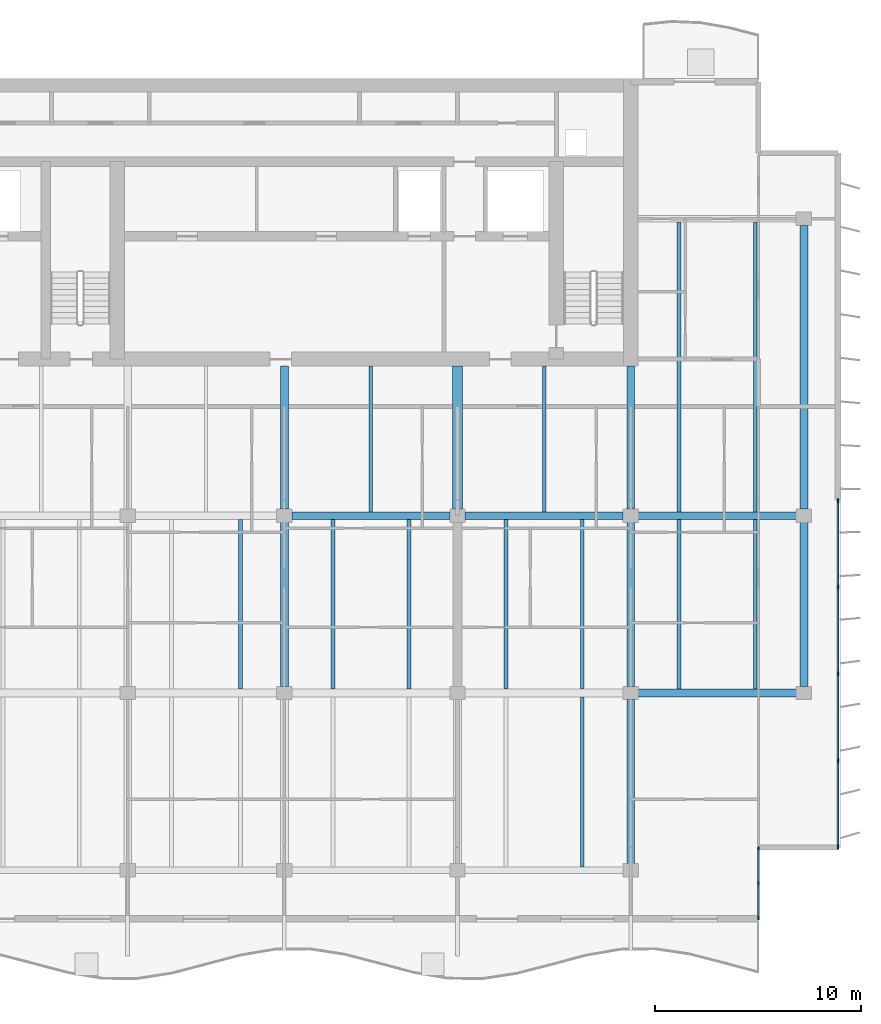
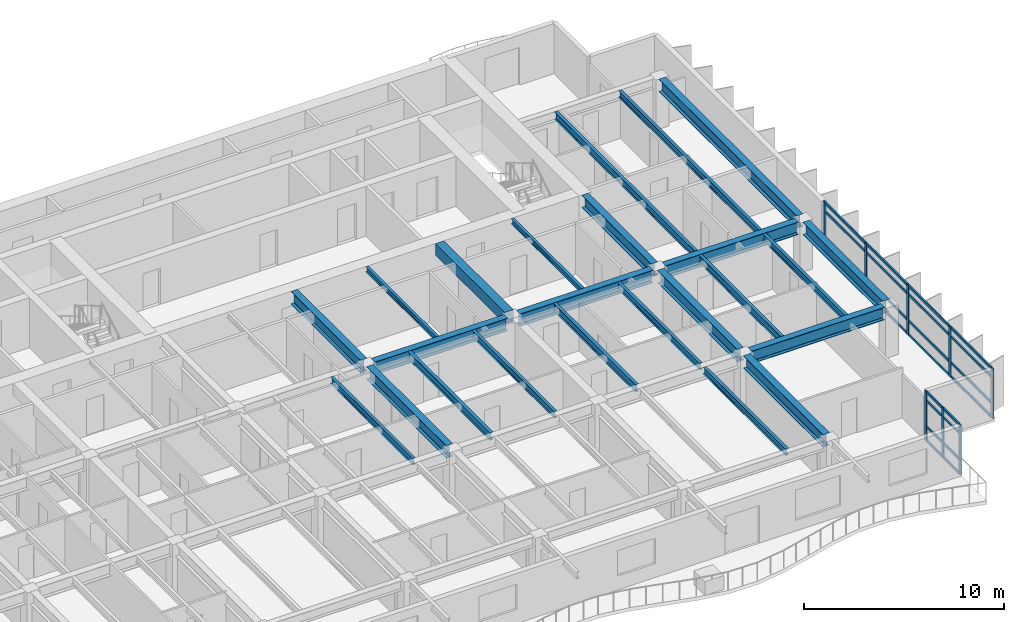
# One storey, part 4 of 16: 32 members, 24 beams, 2 elements without a shape of their own.
"""IFC4 building model written with IfcOpenShell, lengths in metres."""

from ifc_helpers import new_model, si_unit, direction, frame, origin, origin_2d, place, context, subcontext, project, spatial, rectangle, i_section, extrude, material, layer, layer_set, material_profile, profile_set, type_object, element, aggregate, save


model = new_model("IFC4")

# Units and contexts
model_context = context("Model", 3, precision=1e-05, world=origin(), true_north=direction((0.0, 1.0)))
body_context = subcontext(model_context, "Body", "Model", "MODEL_VIEW")
ifc_project = project(units=[si_unit("LENGTHUNIT", "METRE"), si_unit("AREAUNIT", "SQUARE_METRE"), si_unit("VOLUMEUNIT", "CUBIC_METRE"), si_unit("PLANEANGLEUNIT", "RADIAN"), si_unit("MASSUNIT", "GRAM", prefix="KILO")], contexts=[model_context])

# Site, building, storey
site_placement = place(None, origin())
site = spatial("IfcSite", under=ifc_project, at=site_placement, CompositionType="ELEMENT")
building_placement = place(site_placement, origin())
building = spatial("IfcBuilding", under=site, at=building_placement, Name="Caelmar Bay Residences", CompositionType="ELEMENT")
storey_placement = place(building_placement, frame((0.0, 0.0, 249.60009765625)))
storey = spatial("IfcBuildingStorey", under=building, at=storey_placement, Name="L70", CompositionType="ELEMENT", Elevation=249.60009765625)

# Beams
ifc_material_1 = material(Name="Steel ASTM A992 Grade 50", Category="steel")
ifc_material_profile_1 = material_profile(ifc_material_1, i_section(OverallWidth=0.177978515625, OverallDepth=0.406005859375, WebThickness=0.0078125, FlangeThickness=0.0126953125, FilletRadius=0.0087890625, at=origin_2d()), Name="W16X40")
ifc_profile_set_1 = profile_set([ifc_material_profile_1], Name="Steel ASTM A992 Grade 50")
beam_type_1 = type_object("IfcBeamType", Name="BM-BAL-W16X40", PredefinedType="JOIST", material=ifc_profile_set_1)
beam_1_placement = place(storey_placement, frame((57.14794921875, 12.362548828125, 2.846923828125), z_axis=(0.0, 1.0, 0.0), x_axis=(-1.0, 0.0, 0.0)))
element("IfcBeam", 1, at=beam_1_placement, inside=storey, type_object=beam_type_1, Name="L70 Composite Floor Joist 10", PredefinedType="JOIST", context=body_context, shape_type="SweptSolid", body=[
    extrude(i_section(OverallWidth=0.177978515625, OverallDepth=0.406005859375, WebThickness=0.0078125, FlangeThickness=0.0126953125, FilletRadius=0.0087890625, at=origin_2d()), origin(), (0.0, 0.0, 1.0), 8.2470703125),
])
for number, where, z_axis, x_axis, name in (
    (2, (40.572021484375, 20.990478515625, 2.846923828125), (0.0, 1.0, 0.0), (-1.0, 0.0, 0.0), "L70 Composite Floor Joist 18"),
    (3, (48.748046875, 20.990478515625, 2.846923828125), (0.0, 1.0, 0.0), (-1.0, 0.0, 0.0), "L70 Composite Floor Joist 20"),
    (4, (57.14794921875, 20.990478515625, 2.846923828125), (0.0, 1.0, 0.0), (-1.0, 0.0, 0.0), "L70 Composite Floor Joist 22"),
    (5, (65.548095703125, 20.990478515625, 2.846923828125), (0.0, 1.0, 0.0), (-1.0, 0.0, 0.0), "L70 Composite Floor Joist 24"),
):
    element("IfcBeam", number, at=place(storey_placement, frame(where, z_axis=z_axis, x_axis=x_axis)), inside=storey, type_object=beam_type_1, Name=name, PredefinedType="JOIST", context=body_context, shape_type="SweptSolid", body=[
        extrude(i_section(OverallWidth=0.177978515625, OverallDepth=0.406005859375, WebThickness=0.0078125, FlangeThickness=0.0126953125, FilletRadius=0.0087890625, at=origin_2d()), origin(), (0.0, 0.0, 1.0), 8.218994140625),
    ])
beam_2_placement = place(storey_placement, frame((65.548095703125, 29.590576171875, 2.846923828125), z_axis=(0.0, 1.0, 0.0), x_axis=(-1.0, 0.0, 0.0)))
element("IfcBeam", 6, at=beam_2_placement, inside=storey, type_object=beam_type_1, Name="L70 Composite Floor Joist 33", PredefinedType="JOIST", context=body_context, shape_type="SweptSolid", body=[
    extrude(i_section(OverallWidth=0.177978515625, OverallDepth=0.406005859375, WebThickness=0.0078125, FlangeThickness=0.0126953125, FilletRadius=0.0087890625, at=origin_2d()), origin(), (0.0, 0.0, 1.0), 14.046875),
])
ifc_material_profile_2 = material_profile(ifc_material_1, i_section(OverallWidth=0.381103515625, OverallDepth=0.77197265625, WebThickness=0.0166015625, FlangeThickness=0.027099609375, FilletRadius=0.0166015625, at=origin_2d()), Name="W30X173")
ifc_profile_set_2 = profile_set([ifc_material_profile_2], Name="Steel ASTM A992 Grade 50")
beam_type_2 = type_object("IfcBeamType", Name="BM-GRD-W30X173", PredefinedType="BEAM", material=ifc_profile_set_2)
beam_3_placement = place(storey_placement, frame((59.864990234375, 20.800048828125, 2.663818359375), z_axis=(1.0, 0.0, 0.0), x_axis=(0.0, 1.0, 0.0)))
element("IfcBeam", 7, at=beam_3_placement, inside=storey, type_object=beam_type_2, Name="L70 East-West Girder Y=20.80 (59.5-67.9)", PredefinedType="BEAM", context=body_context, shape_type="SweptSolid", body=[
    extrude(i_section(OverallWidth=0.381103515625, OverallDepth=0.77197265625, WebThickness=0.0166015625, FlangeThickness=0.027099609375, FilletRadius=0.0166015625, at=origin_2d()), origin(), (0.0, 0.0, 1.0), 7.669921875),
])
beam_4_placement = place(storey_placement, frame((43.06494140625, 29.39990234375, 2.663818359375), z_axis=(1.0, 0.0, 0.0), x_axis=(0.0, 1.0, 0.0)))
element("IfcBeam", 8, at=beam_4_placement, inside=storey, type_object=beam_type_2, Name="L70 East-West Girder Y=29.40 (42.7-51.1)", PredefinedType="BEAM", context=body_context, shape_type="SweptSolid", body=[
    extrude(i_section(OverallWidth=0.381103515625, OverallDepth=0.77197265625, WebThickness=0.0166015625, FlangeThickness=0.027099609375, FilletRadius=0.0166015625, at=origin_2d()), origin(), (0.0, 0.0, 1.0), 7.670166015625),
])
for number, where, z_axis, x_axis, name in (
    (9, (51.465087890625, 29.39990234375, 2.663818359375), (1.0, 0.0, 0.0), (0.0, 1.0, 0.0), "L70 East-West Girder Y=29.40 (51.1-59.5)"),
    (10, (59.864990234375, 29.39990234375, 2.663818359375), (1.0, 0.0, 0.0), (0.0, 1.0, 0.0), "L70 East-West Girder Y=29.40 (59.5-67.9)"),
):
    element("IfcBeam", number, at=place(storey_placement, frame(where, z_axis=z_axis, x_axis=x_axis)), inside=storey, type_object=beam_type_2, Name=name, PredefinedType="BEAM", context=body_context, shape_type="SweptSolid", body=[
        extrude(i_section(OverallWidth=0.381103515625, OverallDepth=0.77197265625, WebThickness=0.0166015625, FlangeThickness=0.027099609375, FilletRadius=0.0166015625, at=origin_2d()), origin(), (0.0, 0.0, 1.0), 7.669921875),
    ])
beam_5_placement = place(storey_placement, frame((42.699951171875, 29.715087890625, 2.663818359375), z_axis=(0.0, 1.0, 0.0), x_axis=(-1.0, 0.0, 0.0)))
element("IfcBeam", 11, at=beam_5_placement, inside=storey, type_object=beam_type_2, Name="L70 Core Tie Girder X=42.70", PredefinedType="BEAM", context=body_context, shape_type="SweptSolid", body=[
    extrude(i_section(OverallWidth=0.381103515625, OverallDepth=0.77197265625, WebThickness=0.0166015625, FlangeThickness=0.027099609375, FilletRadius=0.0166015625, at=origin_2d()), origin(), (0.0, 0.0, 1.0), 6.934814453125),
])
beam_6_placement = place(storey_placement, frame((42.699951171875, 21.114990234375, 2.663818359375), z_axis=(0.0, 1.0, 0.0), x_axis=(-1.0, 0.0, 0.0)))
element("IfcBeam", 12, at=beam_6_placement, inside=storey, type_object=beam_type_2, Name="L70 North-South Girder X=42.70 (20.8-29.4)", PredefinedType="BEAM", context=body_context, shape_type="SweptSolid", body=[
    extrude(i_section(OverallWidth=0.381103515625, OverallDepth=0.77197265625, WebThickness=0.0166015625, FlangeThickness=0.027099609375, FilletRadius=0.0166015625, at=origin_2d()), origin(), (0.0, 0.0, 1.0), 7.969970703125),
])
beam_7_placement = place(storey_placement, frame((59.5, 29.715087890625, 2.663818359375), z_axis=(0.0, 1.0, 0.0), x_axis=(-1.0, 0.0, 0.0)))
element("IfcBeam", 13, at=beam_7_placement, inside=storey, type_object=beam_type_2, Name="L70 Core Tie Girder X=59.50", PredefinedType="BEAM", context=body_context, shape_type="SweptSolid", body=[
    extrude(i_section(OverallWidth=0.381103515625, OverallDepth=0.77197265625, WebThickness=0.0166015625, FlangeThickness=0.027099609375, FilletRadius=0.0166015625, at=origin_2d()), origin(), (0.0, 0.0, 1.0), 6.934814453125),
])
beam_8_placement = place(storey_placement, frame((59.5, 12.514892578125, 2.663818359375), z_axis=(0.0, 1.0, 0.0), x_axis=(-1.0, 0.0, 0.0)))
element("IfcBeam", 14, at=beam_8_placement, inside=storey, type_object=beam_type_2, Name="L70 North-South Girder X=59.50 (12.2-20.8)", PredefinedType="BEAM", context=body_context, shape_type="SweptSolid", body=[
    extrude(i_section(OverallWidth=0.381103515625, OverallDepth=0.77197265625, WebThickness=0.0166015625, FlangeThickness=0.027099609375, FilletRadius=0.0166015625, at=origin_2d()), origin(), (0.0, 0.0, 1.0), 7.97021484375),
])
for number, where, z_axis, x_axis, name in (
    (15, (59.5, 21.114990234375, 2.663818359375), (0.0, 1.0, 0.0), (-1.0, 0.0, 0.0), "L70 North-South Girder X=59.50 (20.8-29.4)"),
    (16, (67.89990234375, 21.114990234375, 2.663818359375), (0.0, 1.0, 0.0), (-1.0, 0.0, 0.0), "L70 North-South Girder X=67.90 (20.8-29.4)"),
):
    element("IfcBeam", number, at=place(storey_placement, frame(where, z_axis=z_axis, x_axis=x_axis)), inside=storey, type_object=beam_type_2, Name=name, PredefinedType="BEAM", context=body_context, shape_type="SweptSolid", body=[
        extrude(i_section(OverallWidth=0.381103515625, OverallDepth=0.77197265625, WebThickness=0.0166015625, FlangeThickness=0.027099609375, FilletRadius=0.0166015625, at=origin_2d()), origin(), (0.0, 0.0, 1.0), 7.969970703125),
    ])
beam_9_placement = place(storey_placement, frame((67.89990234375, 29.715087890625, 2.663818359375), z_axis=(0.0, 1.0, 0.0), x_axis=(-1.0, 0.0, 0.0)))
element("IfcBeam", 17, at=beam_9_placement, inside=storey, type_object=beam_type_2, Name="L70 North-South Girder X=67.90 (29.4-43.8)", PredefinedType="BEAM", context=body_context, shape_type="SweptSolid", body=[
    extrude(i_section(OverallWidth=0.381103515625, OverallDepth=0.77197265625, WebThickness=0.0166015625, FlangeThickness=0.027099609375, FilletRadius=0.0166015625, at=origin_2d()), origin(), (0.0, 0.0, 1.0), 13.77001953125),
])
ifc_material_profile_3 = material_profile(ifc_material_1, i_section(OverallWidth=0.1650390625, OverallDepth=0.31005859375, WebThickness=0.005859375, FlangeThickness=0.009765625, FilletRadius=0.007568359375, at=origin_2d()), Name="W12X26")
ifc_profile_set_3 = profile_set([ifc_material_profile_3], Name="Steel ASTM A992 Grade 50")
beam_type_3 = type_object("IfcBeamType", Name="BM-JST-W12X26", PredefinedType="JOIST", material=ifc_profile_set_3)
for number, where, z_axis, x_axis, name in (
    (18, (46.89990234375, 29.590576171875, 2.89501953125), (0.0, 1.0, 0.0), (-1.0, 0.0, 0.0), "L70 Core-Band Composite Joist 28"),
    (19, (55.300048828125, 29.590576171875, 2.89501953125), (0.0, 1.0, 0.0), (-1.0, 0.0, 0.0), "L70 Core-Band Composite Joist 29"),
):
    element("IfcBeam", number, at=place(storey_placement, frame(where, z_axis=z_axis, x_axis=x_axis)), inside=storey, type_object=beam_type_3, Name=name, PredefinedType="JOIST", context=body_context, shape_type="SweptSolid", body=[
        extrude(i_section(OverallWidth=0.1650390625, OverallDepth=0.31005859375, WebThickness=0.005859375, FlangeThickness=0.009765625, FilletRadius=0.007568359375, at=origin_2d()), origin(), (0.0, 0.0, 1.0), 7.059326171875),
    ])
ifc_material_profile_4 = material_profile(ifc_material_1, i_section(OverallWidth=0.19091796875, OverallDepth=0.45703125, WebThickness=0.009033203125, FlangeThickness=0.014404296875, FilletRadius=0.01025390625, at=origin_2d()), Name="W18X50")
ifc_profile_set_4 = profile_set([ifc_material_profile_4], Name="Steel ASTM A992 Grade 50")
beam_type_4 = type_object("IfcBeamType", Name="BM-JST-W18X50", PredefinedType="JOIST", material=ifc_profile_set_4)
for number, where, z_axis, x_axis, name in (
    (20, (45.052001953125, 20.990478515625, 2.8212890625), (0.0, 1.0, 0.0), (-1.0, 0.0, 0.0), "L70 Composite Floor Joist 19"),
    (21, (53.451904296875, 20.990478515625, 2.8212890625), (0.0, 1.0, 0.0), (-1.0, 0.0, 0.0), "L70 Composite Floor Joist 21"),
    (22, (61.85205078125, 20.990478515625, 2.8212890625), (0.0, 1.0, 0.0), (-1.0, 0.0, 0.0), "L70 Composite Floor Joist 23"),
):
    element("IfcBeam", number, at=place(storey_placement, frame(where, z_axis=z_axis, x_axis=x_axis)), inside=storey, type_object=beam_type_4, Name=name, PredefinedType="JOIST", context=body_context, shape_type="SweptSolid", body=[
        extrude(i_section(OverallWidth=0.19091796875, OverallDepth=0.45703125, WebThickness=0.009033203125, FlangeThickness=0.014404296875, FilletRadius=0.01025390625, at=origin_2d()), origin(), (0.0, 0.0, 1.0), 8.218994140625),
    ])
beam_10_placement = place(storey_placement, frame((61.85205078125, 29.590576171875, 2.8212890625), z_axis=(0.0, 1.0, 0.0), x_axis=(-1.0, 0.0, 0.0)))
element("IfcBeam", 23, at=beam_10_placement, inside=storey, type_object=beam_type_4, Name="L70 Composite Floor Joist 32", PredefinedType="JOIST", context=body_context, shape_type="SweptSolid", body=[
    extrude(i_section(OverallWidth=0.19091796875, OverallDepth=0.45703125, WebThickness=0.009033203125, FlangeThickness=0.014404296875, FilletRadius=0.01025390625, at=origin_2d()), origin(), (0.0, 0.0, 1.0), 14.046875),
])
ifc_material_2 = material(Name="Concrete f'c 55 MPa (8,000 psi)", Category="concrete")
ifc_material_profile_5 = material_profile(ifc_material_2, rectangle(XDim=0.5, YDim=0.699951171875, at=origin_2d()), Name="RC-BM-500X700")
ifc_profile_set_5 = profile_set([ifc_material_profile_5], Name="Concrete f'c 55 MPa (8,000 psi)")
beam_type_5 = type_object("IfcBeamType", Name="BM-RC-500X700", PredefinedType="LINTEL", material=ifc_profile_set_5)
beam_11_placement = place(storey_placement, frame((51.10009765625, 29.715087890625, 2.699951171875), z_axis=(0.0, 1.0, 0.0), x_axis=(-1.0, 0.0, 0.0)))
element("IfcBeam", 24, at=beam_11_placement, inside=storey, type_object=beam_type_5, Name="L70 Shear-Wall Corridor Coupling Lintel E8", PredefinedType="LINTEL", context=body_context, shape_type="SweptSolid", body=[
    extrude(rectangle(XDim=0.5, YDim=0.699951171875, at=origin_2d()), origin(), (0.0, 0.0, 1.0), 6.934814453125),
])

# Curtain wall, members
ifc_material_3 = material(Name="Anodised bronze aluminium 6063-T6 and laminated glass", Category="aluminium")
ifc_layer_1 = layer(ifc_material_3, 0.179931640625)
ifc_layer_set_1 = layer_set([ifc_layer_1], Name="Anodised bronze aluminium 6063-T6 and laminated glass")
curtain_wall_type_1 = type_object("IfcCurtainWallType", Name="CW6-NTC", PredefinedType="NOTDEFINED", material=ifc_layer_set_1)
curtain_wall_1_placement = place(storey_placement, origin())
curtain_wall_1 = element("IfcCurtainWall", 25, at=curtain_wall_1_placement, inside=storey, type_object=curtain_wall_type_1, Name="CW6 curtain wall L70", PredefinedType="NOTDEFINED")
ifc_material_4 = material(Name="Anodised bronze aluminium 6063-T6", Category="aluminium")
ifc_material_profile_6 = material_profile(ifc_material_4, rectangle(XDim=0.080078125, YDim=0.179931640625, at=origin_2d()), Name="CWM-80X180")
ifc_profile_set_6 = profile_set([ifc_material_profile_6], Name="Anodised bronze aluminium 6063-T6")
member_type_1 = type_object("IfcMemberType", Name="CWM-180", PredefinedType="MULLION", material=ifc_profile_set_6)
member_1_placement = place(storey_placement, frame((65.699951171875, 9.889892578125, 0.0), z_axis=(0.0, 0.0, 1.0), x_axis=(-1.0, 0.0, 0.0)))
member_1 = element("IfcMember", 26, at=member_1_placement, type_object=member_type_1, Name="CW6 mullion 1", PredefinedType="MULLION", context=body_context, shape_type="SweptSolid", body=[
    extrude(rectangle(XDim=0.080078125, YDim=0.179931640625, at=origin_2d()), origin(), (0.0, 0.0, 1.0), 3.0498046875),
])
member_2_placement = place(storey_placement, frame((65.699951171875, 11.574951171875, 0.0), z_axis=(0.0, 0.0, 1.0), x_axis=(-1.0, 0.0, 0.0)))
member_2 = element("IfcMember", 27, at=member_2_placement, type_object=member_type_1, Name="CW6 mullion 2", PredefinedType="MULLION", context=body_context, shape_type="SweptSolid", body=[
    extrude(rectangle(XDim=0.080078125, YDim=0.179931640625, at=origin_2d()), origin(), (0.0, 0.0, 1.0), 3.0498046875),
])
member_3_placement = place(storey_placement, frame((65.699951171875, 13.260009765625, 0.0), z_axis=(0.0, 0.0, 1.0), x_axis=(-1.0, 0.0, 0.0)))
member_3 = element("IfcMember", 28, at=member_3_placement, type_object=member_type_1, Name="CW6 mullion 3", PredefinedType="MULLION", context=body_context, shape_type="SweptSolid", body=[
    extrude(rectangle(XDim=0.080078125, YDim=0.179931640625, at=origin_2d()), origin(), (0.0, 0.0, 1.0), 3.0498046875),
])

ifc_layer_2 = layer(ifc_material_3, 0.179931640625)
ifc_layer_set_2 = layer_set([ifc_layer_2], Name="Anodised bronze aluminium 6063-T6 and laminated glass")
curtain_wall_type_2 = type_object("IfcCurtainWallType", Name="CW5-Z4", PredefinedType="NOTDEFINED", material=ifc_layer_set_2)
curtain_wall_2_placement = place(storey_placement, origin())
curtain_wall_2 = element("IfcCurtainWall", 29, at=curtain_wall_2_placement, inside=storey, type_object=curtain_wall_type_2, Name="CW5 curtain wall L70", PredefinedType="NOTDEFINED")
ifc_material_profile_7 = material_profile(ifc_material_4, rectangle(XDim=0.080078125, YDim=0.219970703125, at=origin_2d()), Name="CWM-80X220")
ifc_profile_set_7 = profile_set([ifc_material_profile_7], Name="Anodised bronze aluminium 6063-T6")
member_type_2 = type_object("IfcMemberType", Name="CWM-220", PredefinedType="MULLION", material=ifc_profile_set_7)
member_4_placement = place(storey_placement, frame((69.550048828125, 30.110107421875, 0.0), z_axis=(0.0, 0.0, 1.0), x_axis=(1.0, 0.0, 0.0)))
member_4 = element("IfcMember", 30, at=member_4_placement, type_object=member_type_2, Name="CW5 mullion 1", PredefinedType="MULLION", context=body_context, shape_type="SweptSolid", body=[
    extrude(rectangle(XDim=0.080078125, YDim=0.219970703125, at=origin_2d()), origin(), (0.0, 0.0, 1.0), 3.0498046875),
])
member_5_placement = place(storey_placement, frame((69.550048828125, 25.9375, 0.0), z_axis=(0.0, 0.0, 1.0), x_axis=(1.0, 0.0, 0.0)))
member_5 = element("IfcMember", 31, at=member_5_placement, type_object=member_type_2, Name="CW5 mullion 2", PredefinedType="MULLION", context=body_context, shape_type="SweptSolid", body=[
    extrude(rectangle(XDim=0.080078125, YDim=0.219970703125, at=origin_2d()), origin(), (0.0, 0.0, 1.0), 3.0498046875),
])
member_6_placement = place(storey_placement, frame((69.550048828125, 21.72509765625, 0.0), z_axis=(0.0, 0.0, 1.0), x_axis=(1.0, 0.0, 0.0)))
member_6 = element("IfcMember", 32, at=member_6_placement, type_object=member_type_2, Name="CW5 mullion 3", PredefinedType="MULLION", context=body_context, shape_type="SweptSolid", body=[
    extrude(rectangle(XDim=0.080078125, YDim=0.219970703125, at=origin_2d()), origin(), (0.0, 0.0, 1.0), 3.0498046875),
])
member_7_placement = place(storey_placement, frame((69.550048828125, 17.512451171875, 0.0), z_axis=(0.0, 0.0, 1.0), x_axis=(1.0, 0.0, 0.0)))
member_7 = element("IfcMember", 33, at=member_7_placement, type_object=member_type_2, Name="CW5 mullion 4", PredefinedType="MULLION", context=body_context, shape_type="SweptSolid", body=[
    extrude(rectangle(XDim=0.080078125, YDim=0.219970703125, at=origin_2d()), origin(), (0.0, 0.0, 1.0), 3.0498046875),
])
member_8_placement = place(storey_placement, frame((69.550048828125, 13.340087890625, 0.0), z_axis=(0.0, 0.0, 1.0), x_axis=(1.0, 0.0, 0.0)))
member_8 = element("IfcMember", 34, at=member_8_placement, type_object=member_type_2, Name="CW5 mullion 5", PredefinedType="MULLION", context=body_context, shape_type="SweptSolid", body=[
    extrude(rectangle(XDim=0.080078125, YDim=0.219970703125, at=origin_2d()), origin(), (0.0, 0.0, 1.0), 3.0498046875),
])

# Member
ifc_material_profile_8 = material_profile(ifc_material_4, rectangle(XDim=0.080078125, YDim=0.139892578125, at=origin_2d()), Name="CWT-80X140")
ifc_profile_set_8 = profile_set([ifc_material_profile_8], Name="Anodised bronze aluminium 6063-T6")
member_type_3 = type_object("IfcMemberType", Name="CWT-140", PredefinedType="NOTDEFINED", material=ifc_profile_set_8)
member_9_placement = place(storey_placement, frame((65.699951171875, 9.929931640625, 0.039794921875), z_axis=(0.0, 1.0, 0.0), x_axis=(-1.0, 0.0, 0.0)))
member_9 = element("IfcMember", 35, at=member_9_placement, type_object=member_type_3, Name="CW6 transom 1.1", ObjectType="TRANSOM", PredefinedType="USERDEFINED", context=body_context, shape_type="SweptSolid", body=[
    extrude(rectangle(XDim=0.080078125, YDim=0.139892578125, at=origin_2d()), origin(), (0.0, 0.0, 1.0), 1.60498046875),
])

member_10_placement = place(storey_placement, frame((65.699951171875, 9.929931640625, 0.89990234375), z_axis=(0.0, 1.0, 0.0), x_axis=(-1.0, 0.0, 0.0)))
member_10 = element("IfcMember", 36, at=member_10_placement, type_object=member_type_3, Name="CW6 transom 1.2", ObjectType="TRANSOM", PredefinedType="USERDEFINED", context=body_context, shape_type="SweptSolid", body=[
    extrude(rectangle(XDim=0.080078125, YDim=0.139892578125, at=origin_2d()), origin(), (0.0, 0.0, 1.0), 1.60498046875),
])

member_11_placement = place(storey_placement, frame((65.699951171875, 9.929931640625, 2.5), z_axis=(0.0, 1.0, 0.0), x_axis=(-1.0, 0.0, 0.0)))
member_11 = element("IfcMember", 37, at=member_11_placement, type_object=member_type_3, Name="CW6 transom 1.3", ObjectType="TRANSOM", PredefinedType="USERDEFINED", context=body_context, shape_type="SweptSolid", body=[
    extrude(rectangle(XDim=0.080078125, YDim=0.139892578125, at=origin_2d()), origin(), (0.0, 0.0, 1.0), 1.60498046875),
])

member_12_placement = place(storey_placement, frame((65.699951171875, 9.929931640625, 3.010009765625), z_axis=(0.0, 1.0, 0.0), x_axis=(-1.0, 0.0, 0.0)))
member_12 = element("IfcMember", 38, at=member_12_placement, type_object=member_type_3, Name="CW6 transom 1.4", ObjectType="TRANSOM", PredefinedType="USERDEFINED", context=body_context, shape_type="SweptSolid", body=[
    extrude(rectangle(XDim=0.080078125, YDim=0.139892578125, at=origin_2d()), origin(), (0.0, 0.0, 1.0), 1.60498046875),
])

member_13_placement = place(storey_placement, frame((65.699951171875, 11.614990234375, 0.039794921875), z_axis=(0.0, 1.0, 0.0), x_axis=(-1.0, 0.0, 0.0)))
member_13 = element("IfcMember", 39, at=member_13_placement, type_object=member_type_3, Name="CW6 transom 2.1", ObjectType="TRANSOM", PredefinedType="USERDEFINED", context=body_context, shape_type="SweptSolid", body=[
    extrude(rectangle(XDim=0.080078125, YDim=0.139892578125, at=origin_2d()), origin(), (0.0, 0.0, 1.0), 1.60498046875),
])

member_14_placement = place(storey_placement, frame((65.699951171875, 11.614990234375, 0.89990234375), z_axis=(0.0, 1.0, 0.0), x_axis=(-1.0, 0.0, 0.0)))
member_14 = element("IfcMember", 40, at=member_14_placement, type_object=member_type_3, Name="CW6 transom 2.2", ObjectType="TRANSOM", PredefinedType="USERDEFINED", context=body_context, shape_type="SweptSolid", body=[
    extrude(rectangle(XDim=0.080078125, YDim=0.139892578125, at=origin_2d()), origin(), (0.0, 0.0, 1.0), 1.60498046875),
])

member_15_placement = place(storey_placement, frame((65.699951171875, 11.614990234375, 2.5), z_axis=(0.0, 1.0, 0.0), x_axis=(-1.0, 0.0, 0.0)))
member_15 = element("IfcMember", 41, at=member_15_placement, type_object=member_type_3, Name="CW6 transom 2.3", ObjectType="TRANSOM", PredefinedType="USERDEFINED", context=body_context, shape_type="SweptSolid", body=[
    extrude(rectangle(XDim=0.080078125, YDim=0.139892578125, at=origin_2d()), origin(), (0.0, 0.0, 1.0), 1.60498046875),
])

member_16_placement = place(storey_placement, frame((65.699951171875, 11.614990234375, 3.010009765625), z_axis=(0.0, 1.0, 0.0), x_axis=(-1.0, 0.0, 0.0)))
member_16 = element("IfcMember", 42, at=member_16_placement, type_object=member_type_3, Name="CW6 transom 2.4", ObjectType="TRANSOM", PredefinedType="USERDEFINED", context=body_context, shape_type="SweptSolid", body=[
    extrude(rectangle(XDim=0.080078125, YDim=0.139892578125, at=origin_2d()), origin(), (0.0, 0.0, 1.0), 1.60498046875),
])

aggregate(curtain_wall_1, [member_1, member_2, member_3, member_9, member_10, member_11, member_12, member_13, member_14, member_15, member_16])

ifc_material_profile_9 = material_profile(ifc_material_4, rectangle(XDim=0.080078125, YDim=0.159912109375, at=origin_2d()), Name="CWT-80X160")
ifc_profile_set_9 = profile_set([ifc_material_profile_9], Name="Anodised bronze aluminium 6063-T6")
member_type_4 = type_object("IfcMemberType", Name="CWT-160", PredefinedType="NOTDEFINED", material=ifc_profile_set_9)
member_17_placement = place(storey_placement, frame((69.550048828125, 30.070068359375, 0.039794921875), z_axis=(0.0, -1.0, 0.0), x_axis=(1.0, 0.0, 0.0)))
member_17 = element("IfcMember", 43, at=member_17_placement, type_object=member_type_4, Name="CW5 transom 1.1", ObjectType="TRANSOM", PredefinedType="USERDEFINED", context=body_context, shape_type="SweptSolid", body=[
    extrude(rectangle(XDim=0.080078125, YDim=0.159912109375, at=origin_2d()), origin(), (0.0, 0.0, 1.0), 4.092529296875),
])

member_18_placement = place(storey_placement, frame((69.550048828125, 30.070068359375, 0.89990234375), z_axis=(0.0, -1.0, 0.0), x_axis=(1.0, 0.0, 0.0)))
member_18 = element("IfcMember", 44, at=member_18_placement, type_object=member_type_4, Name="CW5 transom 1.2", ObjectType="TRANSOM", PredefinedType="USERDEFINED", context=body_context, shape_type="SweptSolid", body=[
    extrude(rectangle(XDim=0.080078125, YDim=0.159912109375, at=origin_2d()), origin(), (0.0, 0.0, 1.0), 4.092529296875),
])

member_19_placement = place(storey_placement, frame((69.550048828125, 30.070068359375, 2.5), z_axis=(0.0, -1.0, 0.0), x_axis=(1.0, 0.0, 0.0)))
member_19 = element("IfcMember", 45, at=member_19_placement, type_object=member_type_4, Name="CW5 transom 1.3", ObjectType="TRANSOM", PredefinedType="USERDEFINED", context=body_context, shape_type="SweptSolid", body=[
    extrude(rectangle(XDim=0.080078125, YDim=0.159912109375, at=origin_2d()), origin(), (0.0, 0.0, 1.0), 4.092529296875),
])

member_20_placement = place(storey_placement, frame((69.550048828125, 30.070068359375, 3.010009765625), z_axis=(0.0, -1.0, 0.0), x_axis=(1.0, 0.0, 0.0)))
member_20 = element("IfcMember", 46, at=member_20_placement, type_object=member_type_4, Name="CW5 transom 1.4", ObjectType="TRANSOM", PredefinedType="USERDEFINED", context=body_context, shape_type="SweptSolid", body=[
    extrude(rectangle(XDim=0.080078125, YDim=0.159912109375, at=origin_2d()), origin(), (0.0, 0.0, 1.0), 4.092529296875),
])

member_21_placement = place(storey_placement, frame((69.550048828125, 25.8974609375, 0.039794921875), z_axis=(0.0, -1.0, 0.0), x_axis=(1.0, 0.0, 0.0)))
member_21 = element("IfcMember", 47, at=member_21_placement, type_object=member_type_4, Name="CW5 transom 2.1", ObjectType="TRANSOM", PredefinedType="USERDEFINED", context=body_context, shape_type="SweptSolid", body=[
    extrude(rectangle(XDim=0.080078125, YDim=0.159912109375, at=origin_2d()), origin(), (0.0, 0.0, 1.0), 4.132568359375),
])

member_22_placement = place(storey_placement, frame((69.550048828125, 25.8974609375, 0.89990234375), z_axis=(0.0, -1.0, 0.0), x_axis=(1.0, 0.0, 0.0)))
member_22 = element("IfcMember", 48, at=member_22_placement, type_object=member_type_4, Name="CW5 transom 2.2", ObjectType="TRANSOM", PredefinedType="USERDEFINED", context=body_context, shape_type="SweptSolid", body=[
    extrude(rectangle(XDim=0.080078125, YDim=0.159912109375, at=origin_2d()), origin(), (0.0, 0.0, 1.0), 4.132568359375),
])

member_23_placement = place(storey_placement, frame((69.550048828125, 25.8974609375, 2.5), z_axis=(0.0, -1.0, 0.0), x_axis=(1.0, 0.0, 0.0)))
member_23 = element("IfcMember", 49, at=member_23_placement, type_object=member_type_4, Name="CW5 transom 2.3", ObjectType="TRANSOM", PredefinedType="USERDEFINED", context=body_context, shape_type="SweptSolid", body=[
    extrude(rectangle(XDim=0.080078125, YDim=0.159912109375, at=origin_2d()), origin(), (0.0, 0.0, 1.0), 4.132568359375),
])

member_24_placement = place(storey_placement, frame((69.550048828125, 25.8974609375, 3.010009765625), z_axis=(0.0, -1.0, 0.0), x_axis=(1.0, 0.0, 0.0)))
member_24 = element("IfcMember", 50, at=member_24_placement, type_object=member_type_4, Name="CW5 transom 2.4", ObjectType="TRANSOM", PredefinedType="USERDEFINED", context=body_context, shape_type="SweptSolid", body=[
    extrude(rectangle(XDim=0.080078125, YDim=0.159912109375, at=origin_2d()), origin(), (0.0, 0.0, 1.0), 4.132568359375),
])

member_25_placement = place(storey_placement, frame((69.550048828125, 21.68505859375, 0.039794921875), z_axis=(0.0, -1.0, 0.0), x_axis=(1.0, 0.0, 0.0)))
member_25 = element("IfcMember", 51, at=member_25_placement, type_object=member_type_4, Name="CW5 transom 3.1", ObjectType="TRANSOM", PredefinedType="USERDEFINED", context=body_context, shape_type="SweptSolid", body=[
    extrude(rectangle(XDim=0.080078125, YDim=0.159912109375, at=origin_2d()), origin(), (0.0, 0.0, 1.0), 4.132568359375),
])

member_26_placement = place(storey_placement, frame((69.550048828125, 21.68505859375, 0.89990234375), z_axis=(0.0, -1.0, 0.0), x_axis=(1.0, 0.0, 0.0)))
member_26 = element("IfcMember", 52, at=member_26_placement, type_object=member_type_4, Name="CW5 transom 3.2", ObjectType="TRANSOM", PredefinedType="USERDEFINED", context=body_context, shape_type="SweptSolid", body=[
    extrude(rectangle(XDim=0.080078125, YDim=0.159912109375, at=origin_2d()), origin(), (0.0, 0.0, 1.0), 4.132568359375),
])

member_27_placement = place(storey_placement, frame((69.550048828125, 21.68505859375, 2.5), z_axis=(0.0, -1.0, 0.0), x_axis=(1.0, 0.0, 0.0)))
member_27 = element("IfcMember", 53, at=member_27_placement, type_object=member_type_4, Name="CW5 transom 3.3", ObjectType="TRANSOM", PredefinedType="USERDEFINED", context=body_context, shape_type="SweptSolid", body=[
    extrude(rectangle(XDim=0.080078125, YDim=0.159912109375, at=origin_2d()), origin(), (0.0, 0.0, 1.0), 4.132568359375),
])

member_28_placement = place(storey_placement, frame((69.550048828125, 21.68505859375, 3.010009765625), z_axis=(0.0, -1.0, 0.0), x_axis=(1.0, 0.0, 0.0)))
member_28 = element("IfcMember", 54, at=member_28_placement, type_object=member_type_4, Name="CW5 transom 3.4", ObjectType="TRANSOM", PredefinedType="USERDEFINED", context=body_context, shape_type="SweptSolid", body=[
    extrude(rectangle(XDim=0.080078125, YDim=0.159912109375, at=origin_2d()), origin(), (0.0, 0.0, 1.0), 4.132568359375),
])

member_29_placement = place(storey_placement, frame((69.550048828125, 17.472412109375, 0.039794921875), z_axis=(0.0, -1.0, 0.0), x_axis=(1.0, 0.0, 0.0)))
member_29 = element("IfcMember", 55, at=member_29_placement, type_object=member_type_4, Name="CW5 transom 4.1", ObjectType="TRANSOM", PredefinedType="USERDEFINED", context=body_context, shape_type="SweptSolid", body=[
    extrude(rectangle(XDim=0.080078125, YDim=0.159912109375, at=origin_2d()), origin(), (0.0, 0.0, 1.0), 4.092529296875),
])

member_30_placement = place(storey_placement, frame((69.550048828125, 17.472412109375, 0.89990234375), z_axis=(0.0, -1.0, 0.0), x_axis=(1.0, 0.0, 0.0)))
member_30 = element("IfcMember", 56, at=member_30_placement, type_object=member_type_4, Name="CW5 transom 4.2", ObjectType="TRANSOM", PredefinedType="USERDEFINED", context=body_context, shape_type="SweptSolid", body=[
    extrude(rectangle(XDim=0.080078125, YDim=0.159912109375, at=origin_2d()), origin(), (0.0, 0.0, 1.0), 4.092529296875),
])

member_31_placement = place(storey_placement, frame((69.550048828125, 17.472412109375, 2.5), z_axis=(0.0, -1.0, 0.0), x_axis=(1.0, 0.0, 0.0)))
member_31 = element("IfcMember", 57, at=member_31_placement, type_object=member_type_4, Name="CW5 transom 4.3", ObjectType="TRANSOM", PredefinedType="USERDEFINED", context=body_context, shape_type="SweptSolid", body=[
    extrude(rectangle(XDim=0.080078125, YDim=0.159912109375, at=origin_2d()), origin(), (0.0, 0.0, 1.0), 4.092529296875),
])

member_32_placement = place(storey_placement, frame((69.550048828125, 17.472412109375, 3.010009765625), z_axis=(0.0, -1.0, 0.0), x_axis=(1.0, 0.0, 0.0)))
member_32 = element("IfcMember", 58, at=member_32_placement, type_object=member_type_4, Name="CW5 transom 4.4", ObjectType="TRANSOM", PredefinedType="USERDEFINED", context=body_context, shape_type="SweptSolid", body=[
    extrude(rectangle(XDim=0.080078125, YDim=0.159912109375, at=origin_2d()), origin(), (0.0, 0.0, 1.0), 4.092529296875),
])

aggregate(curtain_wall_2, [member_4, member_5, member_6, member_7, member_8, member_17, member_18, member_19, member_20, member_21, member_22, member_23, member_24, member_25, member_26, member_27, member_28, member_29, member_30, member_31, member_32])

save(model, "model.ifc")
